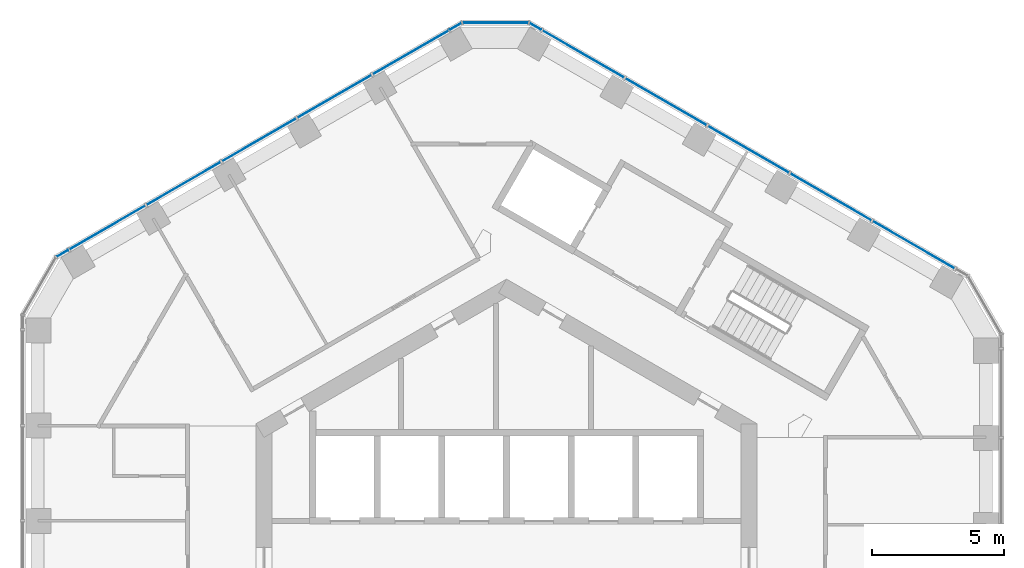
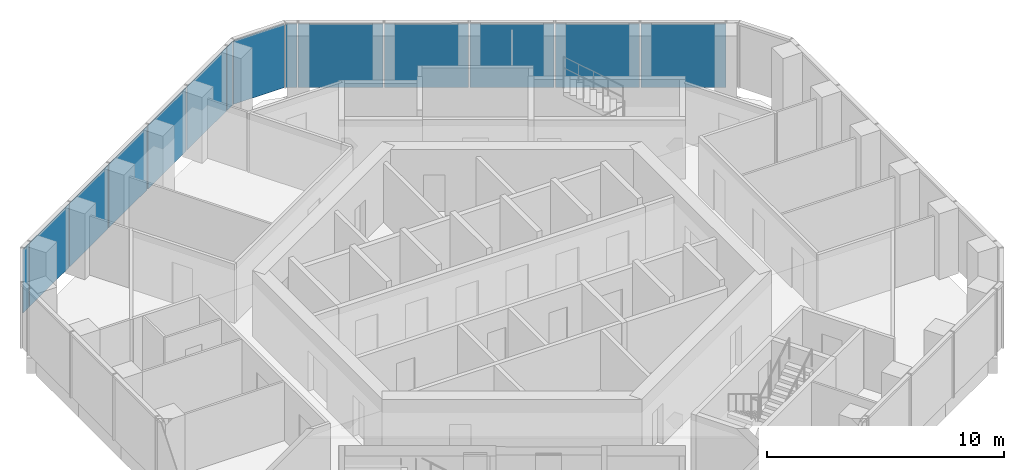
# One storey, part 12 of 18: 14 plates, 4 elements without a shape of their own.
"""IFC4 building model written with IfcOpenShell, lengths in metres."""

from ifc_helpers import new_model, si_unit, direction, frame, origin, origin_2d, place, context, subcontext, project, spatial, rectangle, extrude, material, layer, layer_set, type_object, element, aggregate, save


model = new_model("IFC4")

# Units and contexts
model_context = context("Model", 3, precision=1e-05, world=origin(), true_north=direction((0.0, 1.0)))
body_context = subcontext(model_context, "Body", "Model", "MODEL_VIEW")
ifc_project = project(units=[si_unit("LENGTHUNIT", "METRE"), si_unit("AREAUNIT", "SQUARE_METRE"), si_unit("VOLUMEUNIT", "CUBIC_METRE"), si_unit("PLANEANGLEUNIT", "RADIAN"), si_unit("MASSUNIT", "GRAM", prefix="KILO")], contexts=[model_context])

# Site, building, storey
site_placement = place(None, origin())
site = spatial("IfcSite", under=ifc_project, at=site_placement, CompositionType="ELEMENT")
building_placement = place(site_placement, origin())
building = spatial("IfcBuilding", under=site, at=building_placement, Name="Ayvan Gate Tower", CompositionType="ELEMENT")
storey_placement = place(building_placement, frame((0.0, 0.0, 176.5)))
storey = spatial("IfcBuildingStorey", under=building, at=storey_placement, Name="L47", CompositionType="ELEMENT", Elevation=176.5)

# Curtain wall, plates
ifc_material_1 = material(Name="Bronze anodised aluminium", Category="aluminium")
ifc_layer_1 = layer(ifc_material_1, 0.199951171875)
ifc_layer_set_1 = layer_set([ifc_layer_1], Name="Bronze anodised aluminium")
curtain_wall_type_1 = type_object("IfcCurtainWallType", Name="Stick curtain wall CW-2", PredefinedType="NOTDEFINED", material=ifc_layer_set_1)
curtain_wall_1_placement = place(storey_placement, origin())
curtain_wall_1 = element("IfcCurtainWall", 1, at=curtain_wall_1_placement, inside=storey, type_object=curtain_wall_type_1, Name="Stick curtain wall CW-2 L47", PredefinedType="NOTDEFINED")
ifc_material_2 = material(Name="Clear low-iron laminated glass", Category="glass")
ifc_layer_2 = layer(ifc_material_2, 0.028076171875)
ifc_layer_set_2 = layer_set([ifc_layer_2], Name="Clear low-iron laminated glass")
plate_type_1 = type_object("IfcPlateType", Name="Stick curtain wall CW-2 glass panel", PredefinedType="CURTAIN_PANEL", material=ifc_layer_set_2)
plate_1_placement = place(storey_placement, frame((-3.61474609375, 19.576904296875, 0.0), z_axis=(0.0, 0.0, 1.0), x_axis=(-0.866025403784, -0.5, 0.0)))
plate_1 = element("IfcPlate", 2, at=plate_1_placement, type_object=plate_type_1, Name="CW-2 glass panel 1", PredefinedType="CURTAIN_PANEL", context=body_context, shape_type="SweptSolid", body=[
    extrude(rectangle(XDim=3.342041015625, YDim=0.028076171875, at=origin_2d()), origin(), (0.0, 0.0, 1.0), 3.280029296875),
])
plate_2_placement = place(storey_placement, frame((-6.521728515625, 17.898681640625, 0.0), z_axis=(0.0, 0.0, 1.0), x_axis=(-0.866025403784, -0.5, 0.0)))
plate_2 = element("IfcPlate", 3, at=plate_2_placement, type_object=plate_type_1, Name="CW-2 glass panel 2", PredefinedType="CURTAIN_PANEL", context=body_context, shape_type="SweptSolid", body=[
    extrude(rectangle(XDim=3.23095703125, YDim=0.028076171875, at=origin_2d()), origin(), (0.0, 0.0, 1.0), 3.280029296875),
])
plate_3_placement = place(storey_placement, frame((-9.380859375, 16.248046875, 0.0), z_axis=(0.0, 0.0, 1.0), x_axis=(-0.866025403784, -0.5, 0.0)))
plate_3 = element("IfcPlate", 4, at=plate_3_placement, type_object=plate_type_1, Name="CW-2 glass panel 3", PredefinedType="CURTAIN_PANEL", context=body_context, shape_type="SweptSolid", body=[
    extrude(rectangle(XDim=3.23193359375, YDim=0.028076171875, at=origin_2d()), origin(), (0.0, 0.0, 1.0), 3.280029296875),
])
plate_4_placement = place(storey_placement, frame((-12.239990234375, 14.59716796875, 0.0), z_axis=(0.0, 0.0, 1.0), x_axis=(-0.866025403784, -0.5, 0.0)))
plate_4 = element("IfcPlate", 5, at=plate_4_placement, type_object=plate_type_1, Name="CW-2 glass panel 4", PredefinedType="CURTAIN_PANEL", context=body_context, shape_type="SweptSolid", body=[
    extrude(rectangle(XDim=3.23095703125, YDim=0.028076171875, at=origin_2d()), origin(), (0.0, 0.0, 1.0), 3.280029296875),
])
plate_5_placement = place(storey_placement, frame((-15.146728515625, 12.9189453125, 0.0), z_axis=(0.0, 0.0, 1.0), x_axis=(-0.866025403784, -0.5, 0.0)))
plate_5 = element("IfcPlate", 6, at=plate_5_placement, type_object=plate_type_1, Name="CW-2 glass panel 5", PredefinedType="CURTAIN_PANEL", context=body_context, shape_type="SweptSolid", body=[
    extrude(rectangle(XDim=3.341796875, YDim=0.028076171875, at=origin_2d()), origin(), (0.0, 0.0, 1.0), 3.280029296875),
])
aggregate(curtain_wall_1, [plate_1, plate_2, plate_3, plate_4, plate_5])

curtain_wall_2_placement = place(storey_placement, origin())
curtain_wall_2 = element("IfcCurtainWall", 7, at=curtain_wall_2_placement, inside=storey, type_object=curtain_wall_type_1, Name="Stick curtain wall CW-2 L47", PredefinedType="NOTDEFINED")
plate_6_placement = place(storey_placement, frame((15.450927734375, 12.263671875, 0.0), z_axis=(0.0, 0.0, 1.0), x_axis=(-0.866025403784, 0.5, 0.0)))
plate_6 = element("IfcPlate", 8, at=plate_6_placement, type_object=plate_type_1, Name="CW-2 glass panel 1", PredefinedType="CURTAIN_PANEL", context=body_context, shape_type="SweptSolid", body=[
    extrude(rectangle(XDim=3.59912109375, YDim=0.028076171875, at=origin_2d()), origin(), (0.0, 0.0, 1.0), 3.280029296875),
])
plate_7_placement = place(storey_placement, frame((12.299072265625, 14.08349609375, 0.0), z_axis=(0.0, 0.0, 1.0), x_axis=(-0.866025403784, 0.5, 0.0)))
plate_7 = element("IfcPlate", 9, at=plate_7_placement, type_object=plate_type_1, Name="CW-2 glass panel 2", PredefinedType="CURTAIN_PANEL", context=body_context, shape_type="SweptSolid", body=[
    extrude(rectangle(XDim=3.5400390625, YDim=0.028076171875, at=origin_2d()), origin(), (0.0, 0.0, 1.0), 3.280029296875),
])
plate_8_placement = place(storey_placement, frame((9.173095703125, 15.88818359375, 0.0), z_axis=(0.0, 0.0, 1.0), x_axis=(-0.866025403784, 0.5, 0.0)))
plate_8 = element("IfcPlate", 10, at=plate_8_placement, type_object=plate_type_1, Name="CW-2 glass panel 3", PredefinedType="CURTAIN_PANEL", context=body_context, shape_type="SweptSolid", body=[
    extrude(rectangle(XDim=3.5390625, YDim=0.028076171875, at=origin_2d()), origin(), (0.0, 0.0, 1.0), 3.280029296875),
])
plate_9_placement = place(storey_placement, frame((6.047119140625, 17.69287109375, 0.0), z_axis=(0.0, 0.0, 1.0), x_axis=(-0.866025403784, 0.5, 0.0)))
plate_9 = element("IfcPlate", 11, at=plate_9_placement, type_object=plate_type_1, Name="CW-2 glass panel 4", PredefinedType="CURTAIN_PANEL", context=body_context, shape_type="SweptSolid", body=[
    extrude(rectangle(XDim=3.5400390625, YDim=0.028076171875, at=origin_2d()), origin(), (0.0, 0.0, 1.0), 3.280029296875),
])
plate_10_placement = place(storey_placement, frame((2.895263671875, 19.5126953125, 0.0), z_axis=(0.0, 0.0, 1.0), x_axis=(-0.866025403784, 0.5, 0.0)))
plate_10 = element("IfcPlate", 12, at=plate_10_placement, type_object=plate_type_1, Name="CW-2 glass panel 5", PredefinedType="CURTAIN_PANEL", context=body_context, shape_type="SweptSolid", body=[
    extrude(rectangle(XDim=3.598876953125, YDim=0.028076171875, at=origin_2d()), origin(), (0.0, 0.0, 1.0), 3.280029296875),
])
aggregate(curtain_wall_2, [plate_6, plate_7, plate_8, plate_9, plate_10])

# Curtain wall, plate
ifc_layer_3 = layer(ifc_material_1, 0.199951171875)
ifc_layer_set_3 = layer_set([ifc_layer_3], Name="Bronze anodised aluminium")
curtain_wall_type_2 = type_object("IfcCurtainWallType", Name="Stick curtain wall CW-6", PredefinedType="NOTDEFINED", material=ifc_layer_set_3)
curtain_wall_3_placement = place(storey_placement, origin())
curtain_wall_3 = element("IfcCurtainWall", 13, at=curtain_wall_3_placement, inside=storey, type_object=curtain_wall_type_2, Name="Stick curtain wall CW-6 L47", PredefinedType="NOTDEFINED")
ifc_layer_4 = layer(ifc_material_2, 0.028076171875)
ifc_layer_set_4 = layer_set([ifc_layer_4], Name="Clear low-iron laminated glass")
plate_type_2 = type_object("IfcPlateType", Name="Stick curtain wall CW-6 glass panel", PredefinedType="CURTAIN_PANEL", material=ifc_layer_set_4)
plate_11_placement = place(storey_placement, frame((-16.840576171875, 11.94091796875, 0.0), z_axis=(0.0, 0.0, 1.0), x_axis=(-0.866025403784, -0.5, 0.0)))
plate_11 = element("IfcPlate", 14, at=plate_11_placement, type_object=plate_type_2, Name="CW-6 glass panel 1", PredefinedType="CURTAIN_PANEL", context=body_context, shape_type="SweptSolid", body=[
    extrude(rectangle(XDim=0.5, YDim=0.028076171875, at=origin_2d()), origin(), (0.0, 0.0, 1.0), 3.280029296875),
])
aggregate(curtain_wall_3, [plate_11])

# Curtain wall, plates
curtain_wall_4_placement = place(storey_placement, origin())
curtain_wall_4 = element("IfcCurtainWall", 15, at=curtain_wall_4_placement, inside=storey, type_object=curtain_wall_type_2, Name="Stick curtain wall CW-6 L47", PredefinedType="NOTDEFINED")
plate_12_placement = place(storey_placement, frame((1.090087890625, 20.554931640625, 0.0), z_axis=(0.0, 0.0, 1.0), x_axis=(-0.866025403784, 0.5, 0.0)))
plate_12 = element("IfcPlate", 16, at=plate_12_placement, type_object=plate_type_2, Name="CW-6 glass panel 1", PredefinedType="CURTAIN_PANEL", context=body_context, shape_type="SweptSolid", body=[
    extrude(rectangle(XDim=0.5, YDim=0.028076171875, at=origin_2d()), origin(), (0.0, 0.0, 1.0), 3.280029296875),
])
plate_13_placement = place(storey_placement, frame((-0.41552734375, 20.6923828125, 0.0), z_axis=(0.0, 0.0, 1.0), x_axis=(-1.0, 0.0, 0.0)))
plate_13 = element("IfcPlate", 17, at=plate_13_placement, type_object=plate_type_2, Name="CW-6 glass panel 2", PredefinedType="CURTAIN_PANEL", context=body_context, shape_type="SweptSolid", body=[
    extrude(rectangle(XDim=2.484619140625, YDim=0.028076171875, at=origin_2d()), origin(), (0.0, 0.0, 1.0), 3.280029296875),
])
plate_14_placement = place(storey_placement, frame((-1.9208984375, 20.554931640625, 0.0), z_axis=(0.0, 0.0, 1.0), x_axis=(-0.866025403784, -0.5, 0.0)))
plate_14 = element("IfcPlate", 18, at=plate_14_placement, type_object=plate_type_2, Name="CW-6 glass panel 3", PredefinedType="CURTAIN_PANEL", context=body_context, shape_type="SweptSolid", body=[
    extrude(rectangle(XDim=0.5, YDim=0.028076171875, at=origin_2d()), origin(), (0.0, 0.0, 1.0), 3.280029296875),
])
aggregate(curtain_wall_4, [plate_12, plate_13, plate_14])

save(model, "model.ifc")
